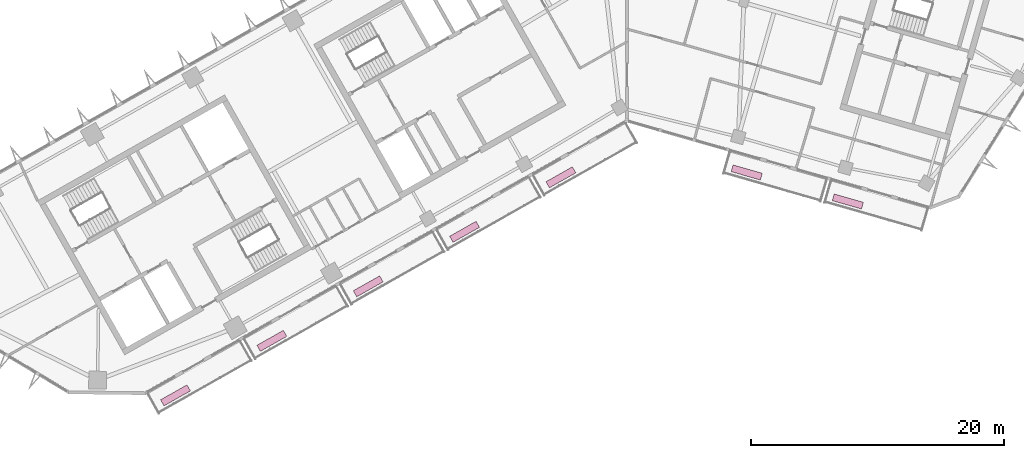
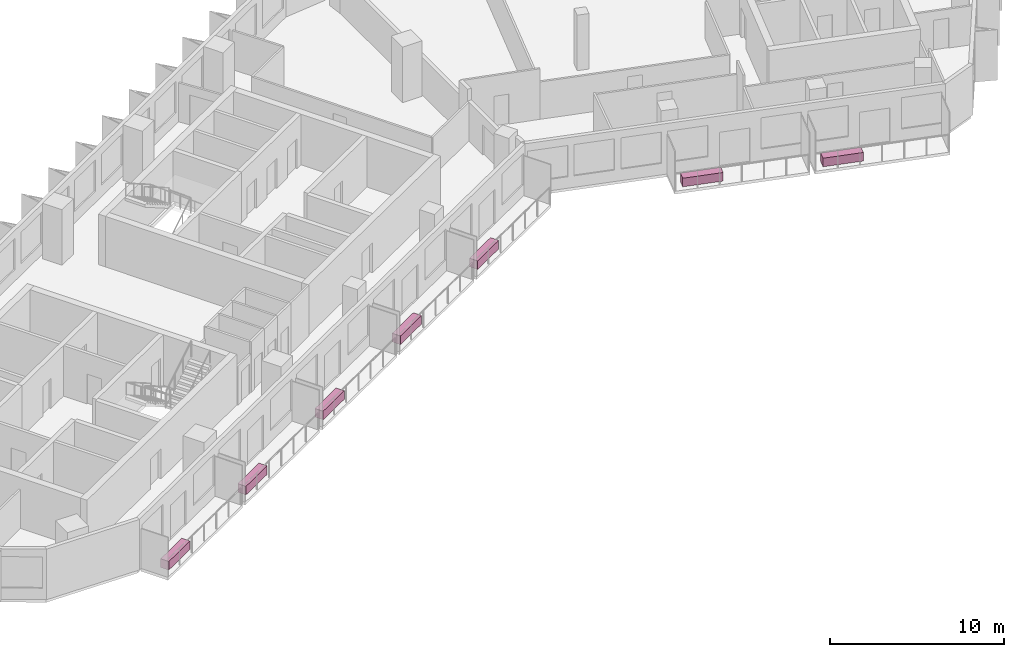
# One storey, part 12 of 12: 7 furnishings.
"""IFC4 building model written with IfcOpenShell, lengths in metres."""

from ifc_helpers import new_model, si_unit, direction, frame, origin, origin_2d, place, context, subcontext, project, spatial, rectangle, extrude, material, type_object, element, save


model = new_model("IFC4")

# Units and contexts
model_context = context("Model", 3, precision=1e-05, world=origin(), true_north=direction((0.0, 1.0)))
body_context = subcontext(model_context, "Body", "Model", "MODEL_VIEW")
ifc_project = project(units=[si_unit("LENGTHUNIT", "METRE"), si_unit("AREAUNIT", "SQUARE_METRE"), si_unit("VOLUMEUNIT", "CUBIC_METRE"), si_unit("PLANEANGLEUNIT", "RADIAN"), si_unit("MASSUNIT", "GRAM", prefix="KILO")], contexts=[model_context])

# Site, building, storey
site_placement = place(None, origin())
site = spatial("IfcSite", under=ifc_project, at=site_placement, CompositionType="ELEMENT")
building_placement = place(site_placement, origin())
building = spatial("IfcBuilding", under=site, at=building_placement, Name="Binnacle Exchange Tower", CompositionType="ELEMENT")
storey_placement = place(building_placement, frame((0.0, 0.0, 254.300048828125)))
storey = spatial("IfcBuildingStorey", under=building, at=storey_placement, Name="L56", CompositionType="ELEMENT", Elevation=254.300048828125)

# Furnishings
ifc_material = material(Name="Concrete C35/45", Category="concrete")
furnishing_element_type = type_object("IfcFurnishingElementType", Name="PLANTER 2400x550x600", material=ifc_material)
for number, where, z_axis, x_axis, name in (
    (1, (-35.698486328125, 26.2861328125, 0.0), (0.0, 0.0, 1.0), (0.87035569594, 0.492423560103, 0.0), "Planter G01-B00a L56"),
    (2, (-28.078857421875, 30.59716796875, 0.0), (0.0, 0.0, 1.0), (0.87035569594, 0.492423560103, 0.0), "Planter G01-B01a L56"),
    (3, (-20.459228515625, 34.908203125, 0.0), (0.0, 0.0, 1.0), (0.87035569594, 0.492423560103, 0.0), "Planter G01-B02a L56"),
    (4, (-12.839599609375, 39.218994140625, 0.0), (0.0, 0.0, 1.0), (0.87035569594, 0.492423560103, 0.0), "Planter G01-B03a L56"),
    (5, (-5.22021484375, 43.530029296875, 0.0), (0.0, 0.0, 1.0), (0.87035569594, 0.492423560103, 0.0), "Planter G01-B04a L56"),
    (6, (9.474609375, 43.909912109375, 0.0), (0.0, 0.0, 1.0), (0.961261695938, -0.275637355817, 0.0), "Planter G02-B01a L56"),
    (7, (17.47265625, 41.61669921875, 0.0), (0.0, 0.0, 1.0), (0.961261695938, -0.275637355817, 0.0), "Planter G02-B02a L56"),
):
    element("IfcFurnishingElement", number, at=place(storey_placement, frame(where, z_axis=z_axis, x_axis=x_axis)), inside=storey, type_object=furnishing_element_type, Name=name, ObjectType="PLANTER", context=body_context, shape_type="SweptSolid", body=[
        extrude(rectangle(XDim=2.39990234375, YDim=0.550048828125, at=origin_2d()), origin(), (0.0, 0.0, 1.0), 0.60009765625),
    ])

save(model, "model.ifc")
